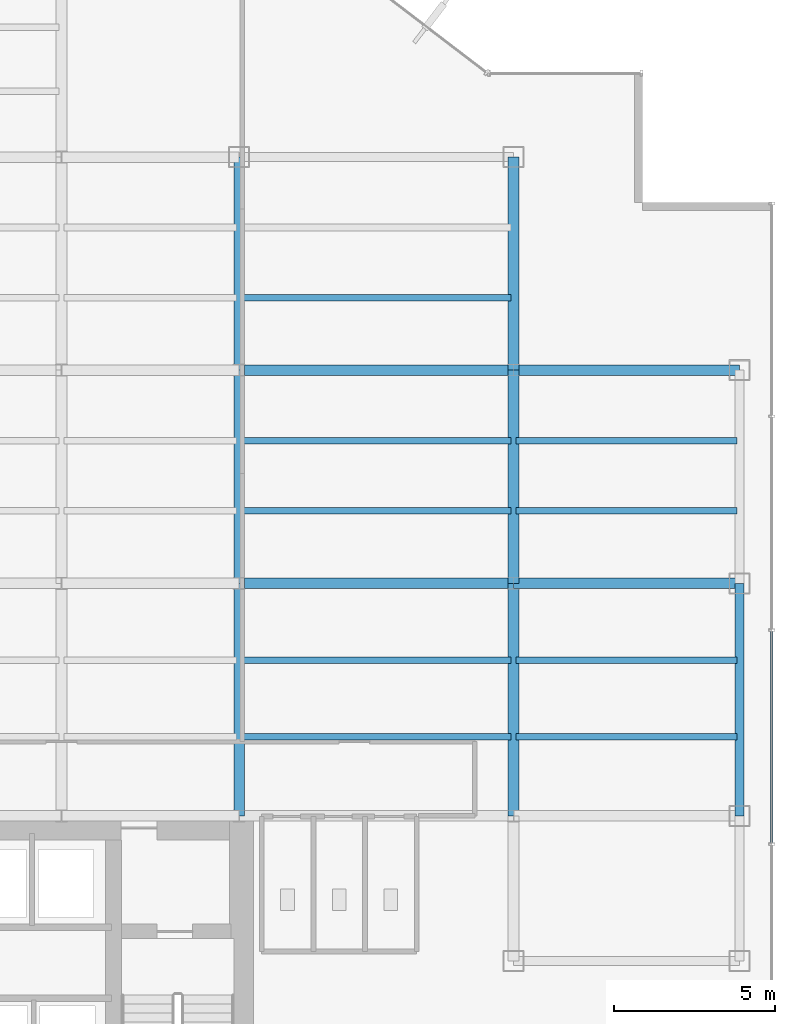
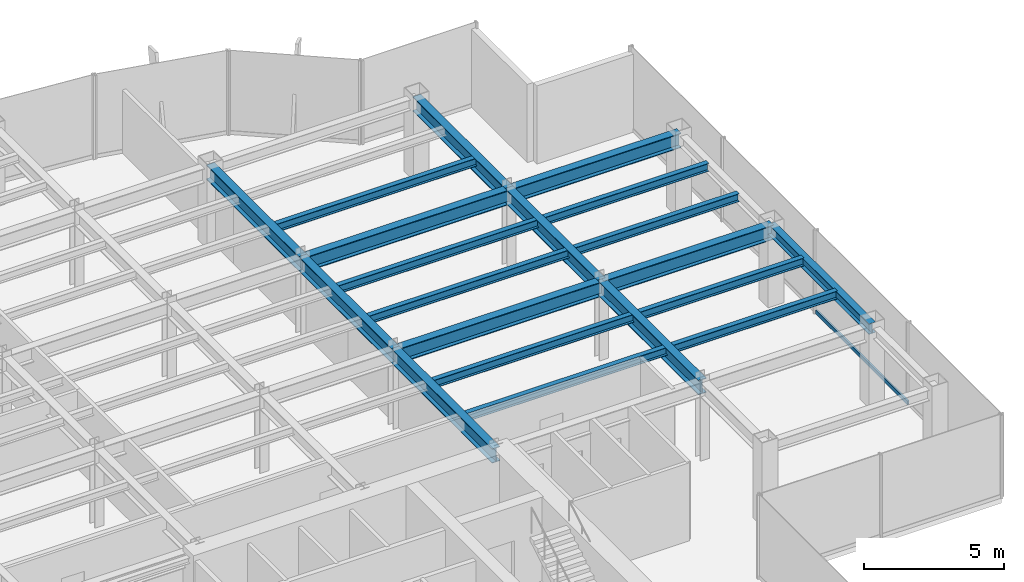
# One storey, part 12 of 25: 20 beams, 1 member, 1 element without a shape of its own.
"""IFC4 building model written with IfcOpenShell, lengths in metres."""

from ifc_helpers import new_model, si_unit, derived_unit, direction, frame, origin, origin_2d, place, context, subcontext, project, spatial, hollow_rectangle, i_section, extrude, source, transform, mapped, material, material_profile, profile_set, type_object, element, aggregate, save


model = new_model("IFC4")

# Units and contexts
model_context = context("Model", 3, precision=1e-05, world=origin(), true_north=direction((0.0, 1.0)))
body_context = subcontext(model_context, "Body", "Model", "MODEL_VIEW")
ifc_project = project(units=[si_unit("LENGTHUNIT", "METRE"), si_unit("AREAUNIT", "SQUARE_METRE"), si_unit("VOLUMEUNIT", "CUBIC_METRE"), si_unit("PLANEANGLEUNIT", "RADIAN"), si_unit("MASSUNIT", "GRAM", prefix="KILO"), derived_unit("THERMALTRANSMITTANCEUNIT", [(si_unit("POWERUNIT", "WATT"), 1), (si_unit("LENGTHUNIT", "METRE"), -2), (si_unit("THERMODYNAMICTEMPERATUREUNIT", "KELVIN"), -1)])], contexts=[model_context])

# Site, building, storey
site_placement = place(None, origin())
site = spatial("IfcSite", under=ifc_project, at=site_placement, CompositionType="ELEMENT")
building_placement = place(site_placement, origin())
building = spatial("IfcBuilding", under=site, at=building_placement, Name="Skarnbrae Concourse Arena and Tower", CompositionType="ELEMENT")
storey_placement = place(building_placement, frame((0.0, 0.0, 169.800048828125)))
storey = spatial("IfcBuildingStorey", under=building, at=storey_placement, Name="L43", CompositionType="ELEMENT", Elevation=169.800048828125)

# Beams
ifc_material_1 = material(Name="Steel CSA G40.21 350W", Category="steel")
ifc_material_profile_1 = material_profile(ifc_material_1, i_section(OverallWidth=0.3291015625, OverallDepth=0.635009765625, WebThickness=0.017822265625, FlangeThickness=0.031005859375, at=origin_2d()), Name="W610X241")
ifc_profile_set_1 = profile_set([ifc_material_profile_1], Name="Steel CSA G40.21 350W")
beam_type_1 = type_object("IfcBeamType", Name="BM-GIRD-W610X241", PredefinedType="BEAM", material=ifc_profile_set_1)
shared_shape_1 = source(origin(), body_context, "Body", "SweptSolid", [
    extrude(i_section(OverallWidth=0.3291015625, OverallDepth=0.635009765625, WebThickness=0.017822265625, FlangeThickness=0.031005859375, at=origin_2d()), origin(), (0.0, 0.0, 1.0), 6.60009765625),
])
for number, where, z_axis, x_axis, name in (
    (1, (33.5, 21.199951171875, 3.08251953125), (0.0, 1.0, 0.0), (-1.0, 0.0, 0.0), "L43 Primary N-S girder X33.5-2"),
    (2, (42.0, 21.199951171875, 3.08251953125), (0.0, 1.0, 0.0), (-1.0, 0.0, 0.0), "L43 Primary N-S girder X42.0-3"),
):
    element("IfcBeam", number, at=place(storey_placement, frame(where, z_axis=z_axis, x_axis=x_axis)), inside=storey, type_object=beam_type_1, Name=name, PredefinedType="BEAM", context=body_context, shape_type="MappedRepresentation", body=[
        mapped(shared_shape_1, transform((0.0, 0.0, 0.0))),
    ])
shared_shape_2 = source(origin(), body_context, "Body", "SweptSolid", [
    extrude(i_section(OverallWidth=0.3291015625, OverallDepth=0.635009765625, WebThickness=0.017822265625, FlangeThickness=0.031005859375, at=origin_2d()), origin(), (0.0, 0.0, 1.0), 8.5),
])
for number, where, z_axis, x_axis, name in (
    (3, (33.5, 21.199951171875, 3.08251953125), (1.0, 0.0, 0.0), (0.0, 1.0, 0.0), "L43 Primary E-W girder Y21.2-6"),
    (4, (33.5, 27.800048828125, 3.08251953125), (1.0, 0.0, 0.0), (0.0, 1.0, 0.0), "L43 Primary E-W girder Y27.8-6"),
):
    element("IfcBeam", number, at=place(storey_placement, frame(where, z_axis=z_axis, x_axis=x_axis)), inside=storey, type_object=beam_type_1, Name=name, PredefinedType="BEAM", context=body_context, shape_type="MappedRepresentation", body=[
        mapped(shared_shape_2, transform((0.0, 0.0, 0.0))),
    ])
shared_shape_3 = source(origin(), body_context, "Body", "SweptSolid", [
    extrude(i_section(OverallWidth=0.3291015625, OverallDepth=0.635009765625, WebThickness=0.017822265625, FlangeThickness=0.031005859375, at=origin_2d()), origin(), (0.0, 0.0, 1.0), 7.0),
])
for number, where, z_axis, x_axis, name in (
    (5, (42.0, 21.199951171875, 3.08251953125), (1.0, 0.0, 0.0), (0.0, 1.0, 0.0), "L43 Primary E-W girder Y21.2-7"),
    (6, (42.0, 27.800048828125, 3.08251953125), (1.0, 0.0, 0.0), (0.0, 1.0, 0.0), "L43 Primary E-W girder Y27.8-7"),
):
    element("IfcBeam", number, at=place(storey_placement, frame(where, z_axis=z_axis, x_axis=x_axis)), inside=storey, type_object=beam_type_1, Name=name, PredefinedType="BEAM", context=body_context, shape_type="MappedRepresentation", body=[
        mapped(shared_shape_3, transform((0.0, 0.0, 0.0))),
    ])
ifc_material_profile_2 = material_profile(ifc_material_1, i_section(OverallWidth=0.280029296875, OverallDepth=0.462890625, WebThickness=0.0107421875, FlangeThickness=0.017333984375, at=origin_2d()), Name="W460X113")
ifc_profile_set_2 = profile_set([ifc_material_profile_2], Name="Steel CSA G40.21 350W")
beam_type_2 = type_object("IfcBeamType", Name="BM-SPAN-W460X113", PredefinedType="SPANDREL", material=ifc_profile_set_2)
shared_shape_4 = source(origin(), body_context, "Body", "SweptSolid", [
    extrude(i_section(OverallWidth=0.280029296875, OverallDepth=0.462890625, WebThickness=0.0107421875, FlangeThickness=0.017333984375, at=origin_2d()), origin(), (0.0, 0.0, 1.0), 7.199951171875),
])
beam_placement = place(storey_placement, frame((49.0, 14.0, 3.16845703125), z_axis=(0.0, 1.0, 0.0), x_axis=(-1.0, 0.0, 0.0)))
element("IfcBeam", 7, at=beam_placement, inside=storey, type_object=beam_type_2, Name="L43 Perimeter spandrel X49.0-2", PredefinedType="SPANDREL", context=body_context, shape_type="MappedRepresentation", body=[
    mapped(shared_shape_4, transform((0.0, 0.0, 0.0))),
])
shared_shape_5 = source(origin(), body_context, "Body", "SweptSolid", [
    extrude(i_section(OverallWidth=0.3291015625, OverallDepth=0.635009765625, WebThickness=0.017822265625, FlangeThickness=0.031005859375, at=origin_2d()), origin(), (0.0, 0.0, 1.0), 7.199951171875),
])
for number, where, z_axis, x_axis, name in (
    (8, (33.5, 14.0, 3.08251953125), (0.0, 1.0, 0.0), (-1.0, 0.0, 0.0), "L43 Primary N-S girder X33.5-1"),
    (9, (42.0, 14.0, 3.08251953125), (0.0, 1.0, 0.0), (-1.0, 0.0, 0.0), "L43 Primary N-S girder X42.0-2"),
):
    element("IfcBeam", number, at=place(storey_placement, frame(where, z_axis=z_axis, x_axis=x_axis)), inside=storey, type_object=beam_type_1, Name=name, PredefinedType="BEAM", context=body_context, shape_type="MappedRepresentation", body=[
        mapped(shared_shape_5, transform((0.0, 0.0, 0.0))),
    ])
shared_shape_6 = source(origin(), body_context, "Body", "SweptSolid", [
    extrude(i_section(OverallWidth=0.3291015625, OverallDepth=0.635009765625, WebThickness=0.017822265625, FlangeThickness=0.031005859375, at=origin_2d()), origin(), (0.0, 0.0, 1.0), 6.599853515625),
])
for number, where, z_axis, x_axis, name in (
    (10, (33.5, 27.800048828125, 3.08251953125), (0.0, 1.0, 0.0), (-1.0, 0.0, 0.0), "L43 Primary N-S girder X33.5-3"),
    (11, (42.0, 27.800048828125, 3.08251953125), (0.0, 1.0, 0.0), (-1.0, 0.0, 0.0), "L43 Primary N-S girder X42.0-4"),
):
    element("IfcBeam", number, at=place(storey_placement, frame(where, z_axis=z_axis, x_axis=x_axis)), inside=storey, type_object=beam_type_1, Name=name, PredefinedType="BEAM", context=body_context, shape_type="MappedRepresentation", body=[
        mapped(shared_shape_6, transform((0.0, 0.0, 0.0))),
    ])
ifc_material_profile_3 = material_profile(ifc_material_1, i_section(OverallWidth=0.205078125, OverallDepth=0.35400390625, WebThickness=0.009521484375, FlangeThickness=0.016845703125, at=origin_2d()), Name="W360X79")
ifc_profile_set_3 = profile_set([ifc_material_profile_3], Name="Steel CSA G40.21 350W")
beam_type_3 = type_object("IfcBeamType", Name="BM-JOIST-W360X79", PredefinedType="JOIST", material=ifc_profile_set_3)
shared_shape_7 = source(origin(), body_context, "Body", "SweptSolid", [
    extrude(i_section(OverallWidth=0.205078125, OverallDepth=0.35400390625, WebThickness=0.009521484375, FlangeThickness=0.016845703125, at=origin_2d()), origin(), (0.0, 0.0, 1.0), 8.33984375),
])
for number, where, z_axis, x_axis, name in (
    (12, (33.580078125, 16.447998046875, 3.222900390625), (1.0, 0.0, 0.0), (0.0, 1.0, 0.0), "L43 Secondary floor joist 1.1.6"),
    (13, (33.580078125, 18.823974609375, 3.222900390625), (1.0, 0.0, 0.0), (0.0, 1.0, 0.0), "L43 Secondary floor joist 1.2.6"),
    (14, (33.580078125, 23.444091796875, 3.222900390625), (1.0, 0.0, 0.0), (0.0, 1.0, 0.0), "L43 Secondary floor joist 2.1.6"),
    (15, (33.580078125, 25.6220703125, 3.222900390625), (1.0, 0.0, 0.0), (0.0, 1.0, 0.0), "L43 Secondary floor joist 2.2.6"),
    (16, (33.580078125, 30.0439453125, 3.222900390625), (1.0, 0.0, 0.0), (0.0, 1.0, 0.0), "L43 Secondary floor joist 3.1.5"),
):
    element("IfcBeam", number, at=place(storey_placement, frame(where, z_axis=z_axis, x_axis=x_axis)), inside=storey, type_object=beam_type_3, Name=name, PredefinedType="JOIST", context=body_context, shape_type="MappedRepresentation", body=[
        mapped(shared_shape_7, transform((0.0, 0.0, 0.0))),
    ])
shared_shape_8 = source(origin(), body_context, "Body", "SweptSolid", [
    extrude(i_section(OverallWidth=0.205078125, OverallDepth=0.35400390625, WebThickness=0.009521484375, FlangeThickness=0.016845703125, at=origin_2d()), origin(), (0.0, 0.0, 1.0), 6.83984375),
])
for number, where, z_axis, x_axis, name in (
    (17, (42.080078125, 16.447998046875, 3.222900390625), (1.0, 0.0, 0.0), (0.0, 1.0, 0.0), "L43 Secondary floor joist 1.1.7"),
    (18, (42.080078125, 18.823974609375, 3.222900390625), (1.0, 0.0, 0.0), (0.0, 1.0, 0.0), "L43 Secondary floor joist 1.2.7"),
    (19, (42.080078125, 23.444091796875, 3.222900390625), (1.0, 0.0, 0.0), (0.0, 1.0, 0.0), "L43 Secondary floor joist 2.1.7"),
    (20, (42.080078125, 25.6220703125, 3.222900390625), (1.0, 0.0, 0.0), (0.0, 1.0, 0.0), "L43 Secondary floor joist 2.2.7"),
):
    element("IfcBeam", number, at=place(storey_placement, frame(where, z_axis=z_axis, x_axis=x_axis)), inside=storey, type_object=beam_type_3, Name=name, PredefinedType="JOIST", context=body_context, shape_type="MappedRepresentation", body=[
        mapped(shared_shape_8, transform((0.0, 0.0, 0.0))),
    ])

# Curtain wall, member
ifc_material_2 = material(Name="Bronze anodised aluminium 6063-T6", Category="aluminium")
curtain_wall_type = type_object("IfcCurtainWallType", Name="CW-SYS-04-MIDZONE", PredefinedType="USERDEFINED", material=ifc_material_2)
curtain_wall_placement = place(storey_placement, origin())
curtain_wall = element("IfcCurtainWall", 21, at=curtain_wall_placement, inside=storey, type_object=curtain_wall_type, Name="L43 Unitised curtain wall CW-L43-E04", ObjectType="UNITISED CURTAIN WALL", PredefinedType="USERDEFINED")
ifc_material_profile_4 = material_profile(ifc_material_2, hollow_rectangle(XDim=0.074951171875, YDim=0.159912109375, WallThickness=0.00439453125, at=origin_2d()), Name="ALU-TRAN-75X160")
ifc_profile_set_4 = profile_set([ifc_material_profile_4], Name="Bronze anodised aluminium 6063-T6")
member_type = type_object("IfcMemberType", Name="CWT-CW-04", PredefinedType="USERDEFINED", material=ifc_profile_set_4)
shared_shape_9 = source(origin(), body_context, "Body", "SweptSolid", [
    extrude(hollow_rectangle(XDim=0.074951171875, YDim=0.159912109375, WallThickness=0.00439453125, at=origin_2d()), origin(), (0.0, 0.0, 1.0), 6.5498046875),
])
member_placement = place(storey_placement, frame((50.0, 13.16259765625, 0.079833984375), z_axis=(0.0, 1.0, 0.0), x_axis=(-1.0, 0.0, 0.0)))
member = element("IfcMember", 22, at=member_placement, type_object=member_type, Name="CW-L43-E04 Transom 2", ObjectType="TRANSOM", PredefinedType="USERDEFINED", context=body_context, shape_type="MappedRepresentation", body=[
    mapped(shared_shape_9, transform((0.0, 0.0, 0.0))),
])
aggregate(curtain_wall, [member])

save(model, "model.ifc")
